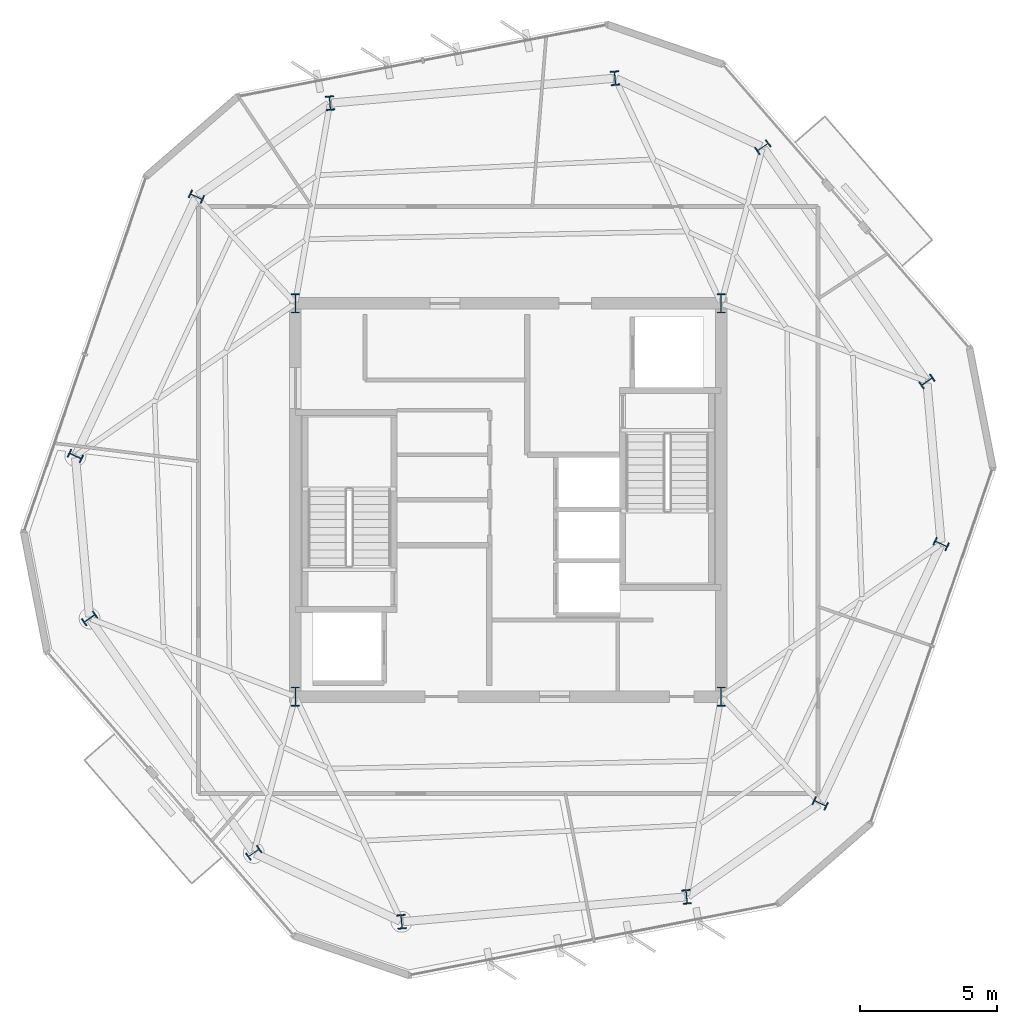
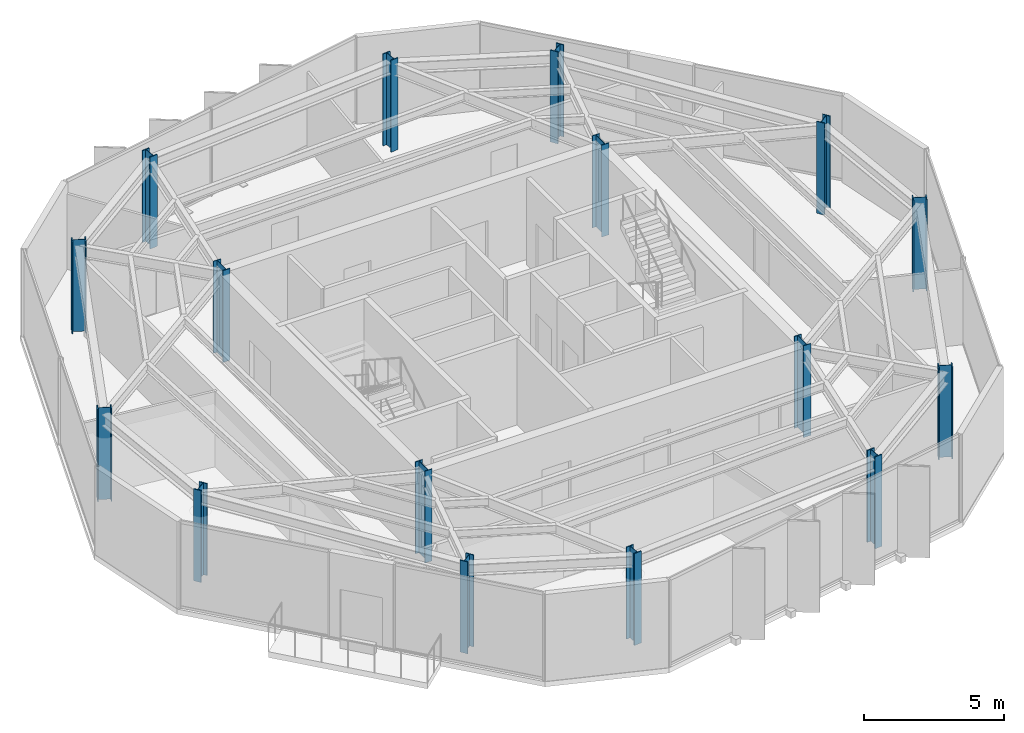
# One storey, part 1 of 10: 16 columns.
"""IFC4 building model written with IfcOpenShell, lengths in metres."""

from ifc_helpers import new_model, si_unit, direction, frame, origin, origin_2d, place, context, subcontext, project, spatial, i_section, extrude, material, material_profile, profile_set, type_object, element, save


model = new_model("IFC4")

# Units and contexts
model_context = context("Model", 3, precision=1e-05, world=origin(), true_north=direction((0.0, 1.0)))
body_context = subcontext(model_context, "Body", "Model", "MODEL_VIEW")
ifc_project = project(units=[si_unit("LENGTHUNIT", "METRE"), si_unit("AREAUNIT", "SQUARE_METRE"), si_unit("VOLUMEUNIT", "CUBIC_METRE"), si_unit("PLANEANGLEUNIT", "RADIAN"), si_unit("MASSUNIT", "GRAM", prefix="KILO")], contexts=[model_context])

# Site, building, storey
site_placement = place(None, origin())
site = spatial("IfcSite", under=ifc_project, at=site_placement, CompositionType="ELEMENT")
building_placement = place(site_placement, origin())
building = spatial("IfcBuilding", under=site, at=building_placement, Name="Kranzbogen Civic Tower", CompositionType="ELEMENT")
storey_placement = place(building_placement, frame((0.0, 0.0, 310.199951171875)))
storey = spatial("IfcBuildingStorey", under=building, at=storey_placement, Name="L75", CompositionType="ELEMENT", Elevation=310.199951171875)

# Columns
ifc_material = material(Name="Steel S355", Category="steel")
ifc_material_profile_1 = material_profile(ifc_material, i_section(OverallWidth=0.300048828125, OverallDepth=0.699951171875, WebThickness=0.01708984375, FlangeThickness=0.031982421875, at=origin_2d()), Name="HEB 700")
ifc_profile_set_1 = profile_set([ifc_material_profile_1], Name="Steel S355")
column_type_1 = type_object("IfcColumnType", Name="Structural Column HEB 700", PredefinedType="COLUMN", material=ifc_profile_set_1)
for number, where, z_axis, x_axis, name in (
    (1, (17.199951171875, 17.800048828125, 0.0), (0.0, 0.0, 1.0), (1.0, 0.0, 0.0), "L75 composite core corner column 1"),
    (2, (32.800048828125, 17.800048828125, 0.0), (0.0, 0.0, 1.0), (1.0, 0.0, 0.0), "L75 composite core corner column 2"),
    (3, (32.800048828125, 32.199951171875, 0.0), (0.0, 0.0, 1.0), (1.0, 0.0, 0.0), "L75 composite core corner column 3"),
    (4, (17.199951171875, 32.199951171875, 0.0), (0.0, 0.0, 1.0), (1.0, 0.0, 0.0), "L75 composite core corner column 4"),
):
    element("IfcColumn", number, at=place(storey_placement, frame(where, z_axis=z_axis, x_axis=x_axis)), inside=storey, type_object=column_type_1, Name=name, PredefinedType="COLUMN", context=body_context, shape_type="SweptSolid", body=[
        extrude(i_section(OverallWidth=0.300048828125, OverallDepth=0.699951171875, WebThickness=0.01708984375, FlangeThickness=0.031982421875, at=origin_2d()), origin(), (0.0, 0.0, 1.0), 4.0),
    ])
ifc_material_profile_2 = material_profile(ifc_material, i_section(OverallWidth=0.305908203125, OverallDepth=0.52392578125, WebThickness=0.02099609375, FlangeThickness=0.0400390625, at=origin_2d()), Name="HEM 500")
ifc_profile_set_2 = profile_set([ifc_material_profile_2], Name="Steel S355")
column_type_2 = type_object("IfcColumnType", Name="Structural Column HEM 500", PredefinedType="COLUMN", material=ifc_profile_set_2)
for number, where, z_axis, x_axis, name in (
    (5, (28.908935546875, 40.449951171875, 0.0), (0.0, 0.0, 1.0), (0.996194698092, 0.087155742748, 0.0), "L75 tower perimeter tube column 01"),
    (6, (18.467041015625, 39.535888671875, 0.0), (0.0, 0.0, 1.0), (0.996194698092, 0.087155742748, 0.0), "L75 tower perimeter tube column 02"),
    (7, (13.574951171875, 36.110107421875, 0.0), (0.0, 0.0, 1.0), (0.422618261741, 0.906307787037, 0.0), "L75 tower perimeter tube column 03"),
    (8, (9.14501953125, 26.610107421875, 0.0), (0.0, 0.0, 1.0), (0.422618261741, 0.906307787037, 0.0), "L75 tower perimeter tube column 04"),
    (9, (9.666015625, 20.660888671875, 0.0), (0.0, 0.0, 1.0), (-0.573576436351, 0.819152044289, 0.0), "L75 tower perimeter tube column 05"),
    (10, (15.677978515625, 12.073974609375, 0.0), (0.0, 0.0, 1.0), (-0.573576436351, 0.819152044289, 0.0), "L75 tower perimeter tube column 06"),
    (11, (21.091064453125, 9.550048828125, 0.0), (0.0, 0.0, 1.0), (0.996194698092, 0.087155742748, 0.0), "L75 tower perimeter tube column 07"),
    (12, (31.532958984375, 10.464111328125, 0.0), (0.0, 0.0, 1.0), (0.996194698092, 0.087155742748, 0.0), "L75 tower perimeter tube column 08"),
    (13, (36.425048828125, 13.889892578125, 0.0), (0.0, 0.0, 1.0), (0.422618261741, 0.906307787037, 0.0), "L75 tower perimeter tube column 09"),
    (14, (40.85498046875, 23.389892578125, 0.0), (0.0, 0.0, 1.0), (0.422618261741, 0.906307787037, 0.0), "L75 tower perimeter tube column 10"),
    (15, (40.333984375, 29.339111328125, 0.0), (0.0, 0.0, 1.0), (-0.573576436351, 0.819152044289, 0.0), "L75 tower perimeter tube column 11"),
    (16, (34.322021484375, 37.926025390625, 0.0), (0.0, 0.0, 1.0), (-0.573576436351, 0.819152044289, 0.0), "L75 tower perimeter tube column 12"),
):
    element("IfcColumn", number, at=place(storey_placement, frame(where, z_axis=z_axis, x_axis=x_axis)), inside=storey, type_object=column_type_2, Name=name, PredefinedType="COLUMN", context=body_context, shape_type="SweptSolid", body=[
        extrude(i_section(OverallWidth=0.305908203125, OverallDepth=0.52392578125, WebThickness=0.02099609375, FlangeThickness=0.0400390625, at=origin_2d()), origin(), (0.0, 0.0, 1.0), 4.0),
    ])

save(model, "model.ifc")
